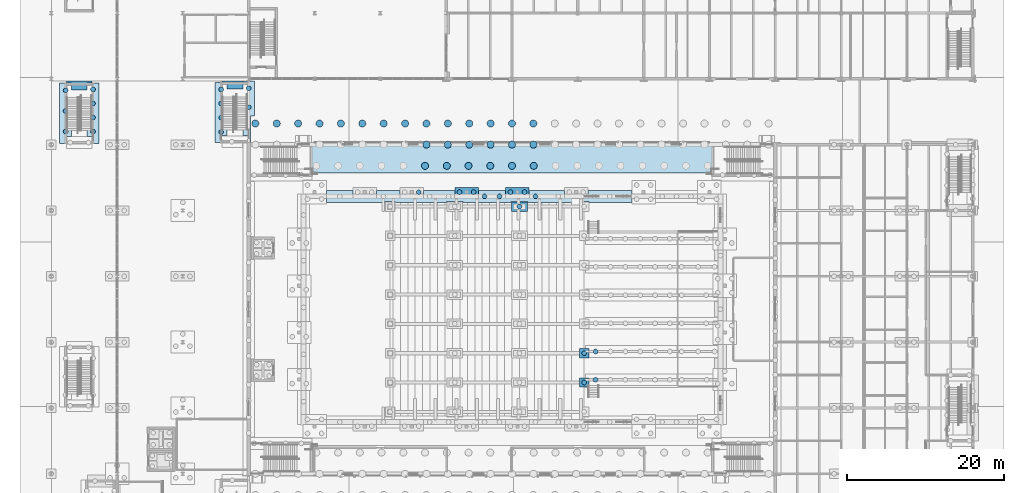
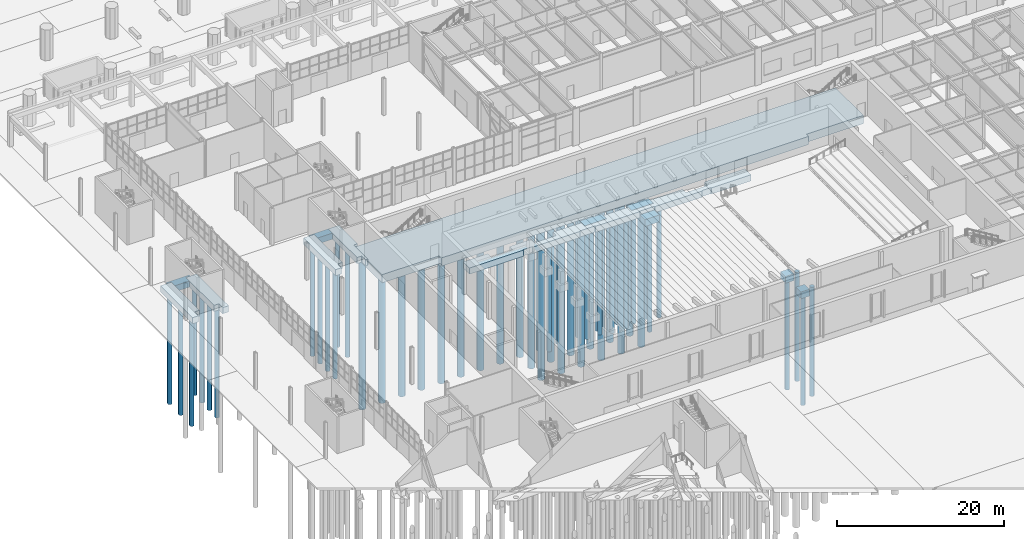
# One storey, part 12 of 127: 52 piles, 13 footings.
"""IFC4 building model written with IfcOpenShell, lengths in metres."""

from ifc_helpers import new_model, si_unit, direction, frame, origin, origin_2d, place, context, subcontext, project, spatial, polyline, circle, outline, extrude, material, layer, layer_set, material_profile, profile_set, type_object, element, save


model = new_model("IFC4")

# Units and contexts
model_context = context("Model", 3, precision=1e-05, world=origin(), true_north=direction((0.0, 1.0)))
body_context = subcontext(model_context, "Body", "Model", "MODEL_VIEW")
ifc_project = project(units=[si_unit("LENGTHUNIT", "METRE"), si_unit("AREAUNIT", "SQUARE_METRE"), si_unit("VOLUMEUNIT", "CUBIC_METRE"), si_unit("PLANEANGLEUNIT", "RADIAN"), si_unit("MASSUNIT", "GRAM", prefix="KILO")], contexts=[model_context])

# Site, building, storey
site_placement = place(None, origin())
site = spatial("IfcSite", under=ifc_project, at=site_placement, CompositionType="ELEMENT")
building_placement = place(site_placement, origin())
building = spatial("IfcBuilding", under=site, at=building_placement, Name="Ljudholm Concert House", CompositionType="ELEMENT")
storey_placement = place(building_placement, origin())
storey = spatial("IfcBuildingStorey", under=building, at=storey_placement, Name="L00", CompositionType="ELEMENT", Elevation=0.0)

# Piles
ifc_material_1 = material(Name="Concrete 5,000 psi", Category="concrete")
ifc_material_profile_1 = material_profile(ifc_material_1, circle(Radius=0.300048828125, at=origin_2d()), Name="AUGER-CAST PILE D600")
ifc_profile_set_1 = profile_set([ifc_material_profile_1], Name="Concrete 5,000 psi")
pile_type_1 = type_object("IfcPileType", Name="AUGER-CAST PILE D600", PredefinedType="BORED", material=ifc_profile_set_1)
for number, where, z_axis, x_axis, name in (
    (1, (50.89990234375, 90.35009765625, -1.300048828125), (0.0, 0.0, -1.0), (1.0, 0.0, 0.0), "Pile D600"),
    (2, (56.10009765625, 90.35009765625, -1.300048828125), (0.0, 0.0, -1.0), (1.0, 0.0, 0.0), "Pile D600"),
    (3, (57.89990234375, 90.35009765625, -1.300048828125), (0.0, 0.0, -1.0), (1.0, 0.0, 0.0), "Pile D600"),
    (4, (62.60009765625, 90.35009765625, -1.300048828125), (0.0, 0.0, -1.0), (1.0, 0.0, 0.0), "Pile D600"),
    (5, (64.39990234375, 90.35009765625, -1.300048828125), (0.0, 0.0, -1.0), (1.0, 0.0, 0.0), "Pile D600"),
    (6, (63.75, 88.5, -1.804931640625), (0.0, 0.0, -1.0), (1.0, 0.0, 0.0), "Pile D600"),
    (7, (72.0, 66.04296875, -1.804931640625), (0.0, 0.0, -1.0), (1.0, 0.0, 0.0), "Pile D600"),
    (8, (72.0, 69.78564453125, -1.804931640625), (0.0, 0.0, -1.0), (1.0, 0.0, 0.0), "Pile D600"),
    (9, (73.456787109375, 66.39990234375, -1.199951171875), (0.0, 0.0, -1.0), (1.0, 0.0, 0.0), "Pile D600"),
    (10, (73.484375, 70.0, -1.199951171875), (0.0, 0.0, -1.0), (1.0, 0.0, 0.0), "Pile D600"),
    (11, (59.295166015625, 89.800048828125, -1.199951171875), (0.0, 0.0, -1.0), (1.0, 0.0, 0.0), "Pile D600"),
    (12, (61.204833984375, 89.800048828125, -1.199951171875), (0.0, 0.0, -1.0), (1.0, 0.0, 0.0), "Pile D600"),
    (13, (65.795166015625, 89.800048828125, -1.199951171875), (0.0, 0.0, -1.0), (1.0, 0.0, 0.0), "Pile D600"),
    (14, (29.199951171875, 101.18310546875, -1.10009765625), (0.0, 0.0, -1.0), (1.0, 0.0, 0.0), "Pile D600"),
    (15, (29.199951171875, 103.60009765625, -1.10009765625), (0.0, 0.0, -1.0), (1.0, 0.0, 0.0), "Pile D600"),
    (16, (25.675048828125, 98.018310546875, -1.10009765625), (0.0, 0.0, -1.0), (1.0, 0.0, 0.0), "Pile D600"),
    (17, (25.675048828125, 99.83251953125, -1.10009765625), (0.0, 0.0, -1.0), (1.0, 0.0, 0.0), "Pile D600"),
    (18, (25.675048828125, 101.646728515625, -1.10009765625), (0.0, 0.0, -1.0), (1.0, 0.0, 0.0), "Pile D600"),
    (19, (25.675048828125, 103.4609375, -1.10009765625), (0.0, 0.0, -1.0), (1.0, 0.0, 0.0), "Pile D600"),
    (20, (9.324951171875, 98.060302734375, -1.10009765625), (0.0, 0.0, -1.0), (1.0, 0.0, 0.0), "Pile D600"),
    (21, (9.324951171875, 99.860595703125, -1.10009765625), (0.0, 0.0, -1.0), (1.0, 0.0, 0.0), "Pile D600"),
    (22, (9.324951171875, 101.660888671875, -1.10009765625), (0.0, 0.0, -1.0), (1.0, 0.0, 0.0), "Pile D600"),
    (23, (9.324951171875, 103.4609375, -1.10009765625), (0.0, 0.0, -1.0), (1.0, 0.0, 0.0), "Pile D600"),
    (24, (5.824951171875, 98.060302734375, -1.10009765625), (0.0, 0.0, -1.0), (1.0, 0.0, 0.0), "Pile D600"),
    (25, (5.824951171875, 100.700927734375, -1.10009765625), (0.0, 0.0, -1.0), (1.0, 0.0, 0.0), "Pile D600"),
    (26, (5.824951171875, 103.341796875, -1.10009765625), (0.0, 0.0, -1.0), (1.0, 0.0, 0.0), "Pile D600"),
):
    element("IfcPile", number, at=place(storey_placement, frame(where, z_axis=z_axis, x_axis=x_axis)), inside=storey, type_object=pile_type_1, Name=name, PredefinedType="BORED", context=body_context, shape_type="SweptSolid", body=[
        extrude(circle(Radius=0.300048828125, at=origin_2d()), origin(), (0.0, 0.0, 1.0), 16.0),
    ])
ifc_material_2 = material(Name="Concrete 5,000 psi", Category="concrete")
ifc_material_profile_2 = material_profile(ifc_material_2, circle(Radius=0.449951171875, at=origin_2d()), Name="AUGER-CAST PILE D900")
ifc_profile_set_2 = profile_set([ifc_material_profile_2], Name="Concrete 5,000 psi")
pile_type_2 = type_object("IfcPileType", Name="AUGER-CAST PILE D900", PredefinedType="BORED", material=ifc_profile_set_2)
for number, where, z_axis, x_axis, name in (
    (27, (51.70166015625, 93.699951171875, -1.699951171875), (0.0, 0.0, -1.0), (1.0, 0.0, 0.0), "Pile D900"),
    (28, (54.476318359375, 93.699951171875, -1.699951171875), (0.0, 0.0, -1.0), (1.0, 0.0, 0.0), "Pile D900"),
    (29, (57.2509765625, 93.699951171875, -1.699951171875), (0.0, 0.0, -1.0), (1.0, 0.0, 0.0), "Pile D900"),
    (30, (60.025390625, 93.699951171875, -1.699951171875), (0.0, 0.0, -1.0), (1.0, 0.0, 0.0), "Pile D900"),
    (31, (62.800048828125, 93.699951171875, -1.699951171875), (0.0, 0.0, -1.0), (1.0, 0.0, 0.0), "Pile D900"),
    (32, (65.574462890625, 93.699951171875, -1.699951171875), (0.0, 0.0, -1.0), (1.0, 0.0, 0.0), "Pile D900"),
    (33, (51.88330078125, 96.39990234375, -1.699951171875), (0.0, 0.0, -1.0), (1.0, 0.0, 0.0), "Pile D900"),
    (34, (54.612548828125, 96.39990234375, -1.699951171875), (0.0, 0.0, -1.0), (1.0, 0.0, 0.0), "Pile D900"),
    (35, (57.341552734375, 96.39990234375, -1.699951171875), (0.0, 0.0, -1.0), (1.0, 0.0, 0.0), "Pile D900"),
    (36, (60.07080078125, 96.39990234375, -1.699951171875), (0.0, 0.0, -1.0), (1.0, 0.0, 0.0), "Pile D900"),
    (37, (62.800048828125, 96.39990234375, -1.699951171875), (0.0, 0.0, -1.0), (1.0, 0.0, 0.0), "Pile D900"),
    (38, (65.529052734375, 96.39990234375, -1.699951171875), (0.0, 0.0, -1.0), (1.0, 0.0, 0.0), "Pile D900"),
    (39, (30.050048828125, 99.10009765625, -1.699951171875), (0.0, 0.0, -1.0), (1.0, 0.0, 0.0), "Pile D900"),
    (40, (32.779052734375, 99.10009765625, -1.699951171875), (0.0, 0.0, -1.0), (1.0, 0.0, 0.0), "Pile D900"),
    (41, (35.50830078125, 99.10009765625, -1.699951171875), (0.0, 0.0, -1.0), (1.0, 0.0, 0.0), "Pile D900"),
    (42, (38.237548828125, 99.10009765625, -1.699951171875), (0.0, 0.0, -1.0), (1.0, 0.0, 0.0), "Pile D900"),
    (43, (40.966552734375, 99.10009765625, -1.699951171875), (0.0, 0.0, -1.0), (1.0, 0.0, 0.0), "Pile D900"),
    (44, (43.69580078125, 99.10009765625, -1.699951171875), (0.0, 0.0, -1.0), (1.0, 0.0, 0.0), "Pile D900"),
    (45, (46.425048828125, 99.10009765625, -1.699951171875), (0.0, 0.0, -1.0), (1.0, 0.0, 0.0), "Pile D900"),
    (46, (49.154052734375, 99.10009765625, -1.699951171875), (0.0, 0.0, -1.0), (1.0, 0.0, 0.0), "Pile D900"),
    (47, (51.88330078125, 99.10009765625, -1.699951171875), (0.0, 0.0, -1.0), (1.0, 0.0, 0.0), "Pile D900"),
    (48, (54.612548828125, 99.10009765625, -1.699951171875), (0.0, 0.0, -1.0), (1.0, 0.0, 0.0), "Pile D900"),
    (49, (57.341552734375, 99.10009765625, -1.699951171875), (0.0, 0.0, -1.0), (1.0, 0.0, 0.0), "Pile D900"),
    (50, (60.07080078125, 99.10009765625, -1.699951171875), (0.0, 0.0, -1.0), (1.0, 0.0, 0.0), "Pile D900"),
    (51, (62.800048828125, 99.10009765625, -1.699951171875), (0.0, 0.0, -1.0), (1.0, 0.0, 0.0), "Pile D900"),
    (52, (65.529052734375, 99.10009765625, -1.699951171875), (0.0, 0.0, -1.0), (1.0, 0.0, 0.0), "Pile D900"),
):
    element("IfcPile", number, at=place(storey_placement, frame(where, z_axis=z_axis, x_axis=x_axis)), inside=storey, type_object=pile_type_2, Name=name, PredefinedType="BORED", context=body_context, shape_type="SweptSolid", body=[
        extrude(circle(Radius=0.449951171875, at=origin_2d()), origin(), (0.0, 0.0, 1.0), 22.0),
    ])

# Footings
ifc_material_3 = material(Name="Concrete 5,000 psi", Category="concrete")
ifc_layer_1 = layer(ifc_material_3, 1.0)
ifc_layer_set_1 = layer_set([ifc_layer_1], Name="Concrete 5,000 psi")
footing_type_1 = type_object("IfcFootingType", Name="RC PILE CAP 1200x1200x1000", PredefinedType="PILE_CAP", material=ifc_layer_set_1)
footing_1_placement = place(storey_placement, frame((0.0, 0.0, -1.804931640625)))
element("IfcFooting", 53, at=footing_1_placement, inside=storey, type_object=footing_type_1, Name="Pile cap", PredefinedType="PILE_CAP", context=body_context, shape_type="SweptSolid", body=[
    extrude(outline(polyline([(71.409912109375, 65.44287109375), (72.590087890625, 65.44287109375), (72.59375, 65.443603515625), (72.59716796875, 65.44580078125), (72.59912109375, 65.448974609375), (72.60009765625, 65.452880859375), (72.60009765625, 66.6328125), (72.59912109375, 66.63671875), (72.59716796875, 66.639892578125), (72.59375, 66.64208984375), (72.590087890625, 66.642822265625), (71.409912109375, 66.642822265625), (71.40625, 66.64208984375), (71.40283203125, 66.639892578125), (71.40087890625, 66.63671875), (71.39990234375, 66.6328125), (71.39990234375, 65.452880859375), (71.40087890625, 65.448974609375), (71.40283203125, 65.44580078125), (71.40625, 65.443603515625), (71.409912109375, 65.44287109375)])), origin(), (0.0, 0.0, 1.0), 1.0),
])
footing_2_placement = place(storey_placement, frame((0.0, 0.0, -1.804931640625)))
element("IfcFooting", 54, at=footing_2_placement, inside=storey, type_object=footing_type_1, Name="Pile cap", PredefinedType="PILE_CAP", context=body_context, shape_type="SweptSolid", body=[
    extrude(outline(polyline([(71.409912109375, 69.185791015625), (72.590087890625, 69.185791015625), (72.59375, 69.1865234375), (72.59716796875, 69.188720703125), (72.59912109375, 69.19189453125), (72.60009765625, 69.19580078125), (72.60009765625, 70.375732421875), (72.59912109375, 70.379638671875), (72.59716796875, 70.3828125), (72.59375, 70.385009765625), (72.590087890625, 70.3857421875), (71.409912109375, 70.3857421875), (71.40625, 70.385009765625), (71.40283203125, 70.3828125), (71.40087890625, 70.379638671875), (71.39990234375, 70.375732421875), (71.39990234375, 69.19580078125), (71.40087890625, 69.19189453125), (71.40283203125, 69.188720703125), (71.40625, 69.1865234375), (71.409912109375, 69.185791015625)])), origin(), (0.0, 0.0, 1.0), 1.0),
])
ifc_material_4 = material(Name="Concrete 5,000 psi", Category="concrete")
ifc_layer_2 = layer(ifc_material_4, 1.0)
ifc_layer_set_2 = layer_set([ifc_layer_2], Name="Concrete 5,000 psi")
footing_type_2 = type_object("IfcFootingType", Name="RC PILE CAP 2000x1200x1000", PredefinedType="PILE_CAP", material=ifc_layer_set_2)
footing_3_placement = place(storey_placement, frame((0.0, 0.0, -1.804931640625)))
element("IfcFooting", 55, at=footing_3_placement, inside=storey, type_object=footing_type_2, Name="Pile cap", PredefinedType="PILE_CAP", context=body_context, shape_type="SweptSolid", body=[
    extrude(outline(polyline([(62.760009765625, 87.89990234375), (64.739990234375, 87.89990234375), (64.74560546875, 87.901611328125), (64.748779296875, 87.9052734375), (64.75, 87.909912109375), (64.75, 89.090087890625), (64.748291015625, 89.095458984375), (64.74462890625, 89.098876953125), (64.739990234375, 89.10009765625), (62.760009765625, 89.10009765625), (62.75439453125, 89.098388671875), (62.751220703125, 89.0947265625), (62.75, 89.090087890625), (62.75, 87.909912109375), (62.750732421875, 87.90625), (62.7529296875, 87.90283203125), (62.756103515625, 87.90087890625), (62.760009765625, 87.89990234375)])), origin(), (0.0, 0.0, 1.0), 1.0),
])
ifc_material_5 = material(Name="Concrete 5,000 psi", Category="concrete")
ifc_layer_3 = layer(ifc_material_5, 1.0)
ifc_layer_set_3 = layer_set([ifc_layer_3], Name="Concrete 5,000 psi")
footing_type_3 = type_object("IfcFootingType", Name="RC PILE CAP 3000x1200x1000", PredefinedType="PILE_CAP", material=ifc_layer_set_3)
footing_4_placement = place(storey_placement, frame((0.0, 0.0, -1.300048828125)))
element("IfcFooting", 56, at=footing_4_placement, inside=storey, type_object=footing_type_3, Name="Pile cap", PredefinedType="PILE_CAP", context=body_context, shape_type="SweptSolid", body=[
    extrude(outline(polyline([(55.510009765625, 89.75), (58.489990234375, 89.75), (58.493896484375, 89.750732421875), (58.498291015625, 89.75439453125), (58.5, 89.760009765625), (58.5, 90.93994140625), (58.499267578125, 90.94384765625), (58.49560546875, 90.9482421875), (58.489990234375, 90.949951171875), (55.510009765625, 90.949951171875), (55.506103515625, 90.94921875), (55.501708984375, 90.945556640625), (55.5, 90.93994140625), (55.5, 89.760009765625), (55.500732421875, 89.756103515625), (55.5029296875, 89.7529296875), (55.506103515625, 89.750732421875), (55.510009765625, 89.75)])), origin(), (0.0, 0.0, 1.0), 1.0),
])
footing_5_placement = place(storey_placement, frame((0.0, 0.0, -1.300048828125)))
element("IfcFooting", 57, at=footing_5_placement, inside=storey, type_object=footing_type_3, Name="Pile cap", PredefinedType="PILE_CAP", context=body_context, shape_type="SweptSolid", body=[
    extrude(outline(polyline([(62.010009765625, 89.75), (64.989990234375, 89.75), (64.993896484375, 89.750732421875), (64.998291015625, 89.75439453125), (65.0, 89.760009765625), (65.0, 90.93994140625), (64.999267578125, 90.94384765625), (64.99560546875, 90.9482421875), (64.989990234375, 90.949951171875), (62.010009765625, 90.949951171875), (62.006103515625, 90.94921875), (62.001708984375, 90.945556640625), (62.0, 90.93994140625), (62.0, 89.760009765625), (62.000732421875, 89.756103515625), (62.0029296875, 89.7529296875), (62.006103515625, 89.750732421875), (62.010009765625, 89.75)])), origin(), (0.0, 0.0, 1.0), 1.0),
])
ifc_material_6 = material(Name="Concrete 5,000 psi", Category="concrete")
ifc_layer_4 = layer(ifc_material_6, 0.89990234375)
ifc_layer_set_4 = layer_set([ifc_layer_4], Name="Concrete 5,000 psi")
footing_type_4 = type_object("IfcFootingType", Name="RC STRIP FOOTING 1050x900", PredefinedType="STRIP_FOOTING", material=ifc_layer_set_4)
footing_6_placement = place(storey_placement, frame((0.0, 0.0, -1.10009765625)))
element("IfcFooting", 58, at=footing_6_placement, inside=storey, type_object=footing_type_4, Name="Strip footing", PredefinedType="STRIP_FOOTING", context=body_context, shape_type="SweptSolid", body=[
    extrude(outline(polyline([(25.800048828125, 104.489990234375), (25.800048828125, 104.359130859375), (25.80126953125, 104.355224609375), (25.802978515625, 104.35302734375), (25.80810546875, 104.35009765625), (26.414794921875, 104.35009765625), (26.419677734375, 104.348876953125), (26.42333984375, 104.345458984375), (26.425048828125, 104.33984375), (26.425048828125, 103.485107421875), (26.4267578125, 103.4794921875), (26.43115234375, 103.475830078125), (26.43505859375, 103.47509765625), (28.43994140625, 103.47509765625), (28.445556640625, 103.476806640625), (28.44921875, 103.481201171875), (28.449951171875, 103.485107421875), (28.449951171875, 104.489990234375), (28.4482421875, 104.49560546875), (28.44384765625, 104.499267578125), (28.43994140625, 104.5), (25.81005859375, 104.5), (25.80615234375, 104.499267578125), (25.802978515625, 104.4970703125), (25.80078125, 104.493896484375), (25.800048828125, 104.489990234375)])), origin(), (0.0, 0.0, 1.0), 0.900146484375),
])
ifc_material_7 = material(Name="Concrete 5,000 psi", Category="concrete")
ifc_layer_5 = layer(ifc_material_7, 0.89990234375)
ifc_layer_set_5 = layer_set([ifc_layer_5], Name="Concrete 5,000 psi")
footing_type_5 = type_object("IfcFootingType", Name="RC STRIP FOOTING 1150x900", PredefinedType="STRIP_FOOTING", material=ifc_layer_set_5)
footing_7_placement = place(storey_placement, frame((0.0, 0.0, -1.10009765625)))
element("IfcFooting", 59, at=footing_7_placement, inside=storey, type_object=footing_type_5, Name="Strip footing", PredefinedType="STRIP_FOOTING", context=body_context, shape_type="SweptSolid", body=[
    extrude(outline(polyline([(5.9599609375, 104.25), (6.564697265625, 104.25), (6.56982421875, 104.248779296875), (6.5732421875, 104.24560546875), (6.574951171875, 104.23974609375), (6.574951171875, 103.385009765625), (6.57666015625, 103.37939453125), (6.579345703125, 103.376708984375), (6.58203125, 103.37548828125), (8.56591796875, 103.375), (8.56884765625, 103.375732421875), (8.572021484375, 103.3779296875), (8.57421875, 103.381103515625), (8.574951171875, 103.385009765625), (8.574951171875, 104.23974609375), (8.576171875, 104.24462890625), (8.580322265625, 104.248779296875), (8.585205078125, 104.25), (9.18994140625, 104.25), (9.19384765625, 104.250732421875), (9.1982421875, 104.25439453125), (9.199951171875, 104.260009765625), (9.199951171875, 104.490966796875), (9.19873046875, 104.49462890625), (9.197021484375, 104.4970703125), (9.19384765625, 104.499267578125), (9.18994140625, 104.5), (5.958984375, 104.5), (5.9560546875, 104.499267578125), (5.952880859375, 104.4970703125), (5.95068359375, 104.493896484375), (5.949951171875, 104.489990234375), (5.949951171875, 104.260009765625), (5.95068359375, 104.256103515625), (5.952880859375, 104.2529296875), (5.9560546875, 104.250732421875), (5.9599609375, 104.25)])), origin(), (0.0, 0.0, 1.0), 0.900146484375),
])
ifc_material_8 = material(Name="Concrete 5,000 psi", Category="concrete")
ifc_layer_6 = layer(ifc_material_8, 0.89990234375)
ifc_layer_set_6 = layer_set([ifc_layer_6], Name="Concrete 5,000 psi")
footing_type_6 = type_object("IfcFootingType", Name="RC STRIP FOOTING 1500x900", PredefinedType="STRIP_FOOTING", material=ifc_layer_set_6)
footing_8_placement = place(storey_placement, frame((0.0, 0.0, -1.199951171875)))
element("IfcFooting", 60, at=footing_8_placement, inside=storey, type_object=footing_type_6, Name="Strip footing", PredefinedType="STRIP_FOOTING", context=body_context, shape_type="SweptSolid", body=[
    extrude(outline(polyline([(39.10009765625, 90.5400390625), (39.10009765625, 89.06005859375), (39.100830078125, 89.05615234375), (39.10302734375, 89.052978515625), (39.106201171875, 89.05078125), (39.110107421875, 89.050048828125), (46.590087890625, 89.050048828125), (46.59375, 89.05078125), (46.59716796875, 89.052978515625), (46.598876953125, 89.05517578125), (46.599853515625, 89.05908203125), (46.60009765625, 89.141845703125), (46.601806640625, 89.1455078125), (46.603759765625, 89.147705078125), (46.607177734375, 89.149658203125), (46.6103515625, 89.14990234375), (47.890869140625, 89.14990234375), (47.893798828125, 89.149169921875), (47.89697265625, 89.14697265625), (47.89892578125, 89.144775390625), (47.89990234375, 89.140869140625), (47.900146484375, 89.05810546875), (47.901611328125, 89.054443359375), (47.903564453125, 89.05224609375), (47.90625, 89.05078125), (47.909912109375, 89.050048828125), (54.43994140625, 89.050048828125), (54.44384765625, 89.05078125), (54.447021484375, 89.052978515625), (54.44873046875, 89.05517578125), (54.449951171875, 89.05908203125), (54.4501953125, 89.141845703125), (54.45166015625, 89.1455078125), (54.45361328125, 89.147705078125), (54.45703125, 89.149658203125), (54.460205078125, 89.14990234375), (56.539794921875, 89.14990234375), (56.54296875, 89.149658203125), (56.54638671875, 89.147705078125), (56.54833984375, 89.1455078125), (56.5498046875, 89.141845703125), (56.550048828125, 89.05908203125), (56.55126953125, 89.05517578125), (56.552978515625, 89.052978515625), (56.55615234375, 89.05078125), (56.56005859375, 89.050048828125), (62.68994140625, 89.050048828125), (62.69384765625, 89.05078125), (62.697021484375, 89.052978515625), (62.69873046875, 89.05517578125), (62.699951171875, 89.05908203125), (62.7001953125, 89.141845703125), (62.70166015625, 89.1455078125), (62.70361328125, 89.147705078125), (62.70703125, 89.149658203125), (62.710205078125, 89.14990234375), (64.789794921875, 89.14990234375), (64.79296875, 89.149658203125), (64.79638671875, 89.147705078125), (64.79833984375, 89.1455078125), (64.7998046875, 89.141845703125), (64.800048828125, 89.05908203125), (64.80126953125, 89.05517578125), (64.802978515625, 89.052978515625), (64.80615234375, 89.05078125), (64.81005859375, 89.050048828125), (71.340087890625, 89.050048828125), (71.34375, 89.05078125), (71.34716796875, 89.052978515625), (71.348876953125, 89.05517578125), (71.349853515625, 89.05908203125), (71.35009765625, 89.141845703125), (71.351806640625, 89.1455078125), (71.353759765625, 89.147705078125), (71.357177734375, 89.149658203125), (71.3603515625, 89.14990234375), (72.640869140625, 89.14990234375), (72.643798828125, 89.149169921875), (72.64697265625, 89.14697265625), (72.649169921875, 89.143798828125), (72.64990234375, 89.140869140625), (72.650146484375, 89.05810546875), (72.651123046875, 89.05517578125), (72.653564453125, 89.05224609375), (72.65625, 89.05078125), (72.659912109375, 89.050048828125), (78.090087890625, 89.050048828125), (78.09375, 89.05078125), (78.09716796875, 89.052978515625), (78.09912109375, 89.05615234375), (78.10009765625, 89.06005859375), (78.10009765625, 90.5400390625), (78.09912109375, 90.5439453125), (78.09716796875, 90.547119140625), (78.09375, 90.54931640625), (78.090087890625, 90.550048828125), (72.509033203125, 90.550048828125), (72.50537109375, 90.548828125), (72.5029296875, 90.547119140625), (72.500732421875, 90.5439453125), (72.5, 90.5400390625), (72.5, 89.76025390625), (72.499267578125, 89.756103515625), (72.4970703125, 89.7529296875), (72.493896484375, 89.750732421875), (72.48974609375, 89.75), (69.507080078125, 89.75048828125), (69.50439453125, 89.751708984375), (69.501708984375, 89.75439453125), (69.5, 89.76025390625), (69.5, 90.5400390625), (69.499267578125, 90.5439453125), (69.4970703125, 90.547119140625), (69.493896484375, 90.54931640625), (69.489990234375, 90.550048828125), (65.008056640625, 90.5498046875), (65.00537109375, 90.548828125), (65.002197265625, 90.54638671875), (65.000732421875, 90.5439453125), (65.0, 90.5400390625), (65.0, 89.76025390625), (64.999267578125, 89.756103515625), (64.9970703125, 89.7529296875), (64.993896484375, 89.750732421875), (64.98974609375, 89.75), (62.007080078125, 89.75048828125), (62.00439453125, 89.751708984375), (62.001708984375, 89.75439453125), (62.0, 89.76025390625), (62.0, 90.5400390625), (61.999267578125, 90.5439453125), (61.9970703125, 90.547119140625), (61.993896484375, 90.54931640625), (61.989990234375, 90.550048828125), (58.508056640625, 90.5498046875), (58.50537109375, 90.548828125), (58.502197265625, 90.54638671875), (58.50048828125, 90.54296875), (58.5, 90.5400390625), (58.5, 89.76025390625), (58.499267578125, 89.756103515625), (58.4970703125, 89.7529296875), (58.493896484375, 89.750732421875), (58.48974609375, 89.75), (55.507080078125, 89.75048828125), (55.50439453125, 89.751708984375), (55.501708984375, 89.75439453125), (55.5, 89.76025390625), (55.5, 90.5400390625), (55.499267578125, 90.5439453125), (55.4970703125, 90.547119140625), (55.493896484375, 90.54931640625), (55.489990234375, 90.550048828125), (51.508056640625, 90.5498046875), (51.50537109375, 90.548828125), (51.502197265625, 90.54638671875), (51.50048828125, 90.54296875), (51.5, 90.5400390625), (51.5, 89.76025390625), (51.499267578125, 89.756103515625), (51.4970703125, 89.7529296875), (51.493896484375, 89.750732421875), (51.48974609375, 89.75), (48.507080078125, 89.75048828125), (48.50439453125, 89.751708984375), (48.501708984375, 89.75439453125), (48.5, 89.76025390625), (48.5, 90.5400390625), (48.499267578125, 90.5439453125), (48.4970703125, 90.547119140625), (48.493896484375, 90.54931640625), (48.490966796875, 90.550048828125), (45.507080078125, 90.549560546875), (45.50439453125, 90.54833984375), (45.501708984375, 90.545654296875), (45.5, 90.5400390625), (45.5, 89.76025390625), (45.499267578125, 89.756103515625), (45.4970703125, 89.7529296875), (45.493896484375, 89.750732421875), (45.48974609375, 89.75), (42.507080078125, 89.75048828125), (42.50439453125, 89.751708984375), (42.501708984375, 89.75439453125), (42.5, 89.76025390625), (42.5, 90.5400390625), (42.499267578125, 90.5439453125), (42.4970703125, 90.547119140625), (42.493896484375, 90.54931640625), (42.490966796875, 90.550048828125), (39.110107421875, 90.550048828125), (39.106201171875, 90.54931640625), (39.10302734375, 90.547119140625), (39.100830078125, 90.5439453125), (39.10009765625, 90.5400390625)])), origin(), (0.0, 0.0, 1.0), 0.89990234375),
])
footing_9_placement = place(storey_placement, frame((0.0, 0.0, -1.10009765625)))
element("IfcFooting", 61, at=footing_9_placement, inside=storey, type_object=footing_type_6, Name="Strip footing", PredefinedType="STRIP_FOOTING", context=body_context, shape_type="SweptSolid", body=[
    extrude(outline(polyline([(28.449951171875, 104.489990234375), (28.449951171875, 97.583984375), (28.451171875, 97.580322265625), (28.452880859375, 97.577880859375), (28.4560546875, 97.57568359375), (28.4599609375, 97.574951171875), (29.08984375, 97.574951171875), (29.09375, 97.57421875), (29.09716796875, 97.572021484375), (29.09912109375, 97.56884765625), (29.10009765625, 97.564697265625), (29.100341796875, 96.656982421875), (29.101806640625, 96.654541015625), (29.1044921875, 96.651611328125), (29.110107421875, 96.64990234375), (29.390869140625, 96.650146484375), (29.393798828125, 96.65087890625), (29.39697265625, 96.65283203125), (29.399169921875, 96.65625), (29.39990234375, 96.659912109375), (29.400146484375, 99.99609375), (29.40380859375, 100.01318359375), (29.4169921875, 100.032958984375), (29.436767578125, 100.046142578125), (29.455078125, 100.050048828125), (29.93994140625, 100.050048828125), (29.94287109375, 100.050537109375), (29.9462890625, 100.05224609375), (29.94873046875, 100.05517578125), (29.949951171875, 100.05908203125), (29.949951171875, 104.490966796875), (29.94873046875, 104.49462890625), (29.947021484375, 104.4970703125), (29.94384765625, 104.499267578125), (29.93994140625, 104.5), (28.4599609375, 104.5), (28.4560546875, 104.499267578125), (28.452880859375, 104.4970703125), (28.45068359375, 104.493896484375), (28.449951171875, 104.489990234375)])), origin(), (0.0, 0.0, 1.0), 0.900146484375),
])
footing_10_placement = place(storey_placement, frame((0.0, 0.0, -1.10009765625)))
element("IfcFooting", 62, at=footing_10_placement, inside=storey, type_object=footing_type_6, Name="Strip footing", PredefinedType="STRIP_FOOTING", context=body_context, shape_type="SweptSolid", body=[
    extrude(outline(polyline([(24.93505859375, 96.64990234375), (25.739990234375, 96.64990234375), (25.74560546875, 96.651611328125), (25.748779296875, 96.6552734375), (25.75, 96.659912109375), (25.75, 97.564697265625), (25.751708984375, 97.570556640625), (25.75537109375, 97.57373046875), (25.76025390625, 97.574951171875), (26.4150390625, 97.574951171875), (26.4189453125, 97.57568359375), (26.42138671875, 97.5771484375), (26.42333984375, 97.579345703125), (26.4248046875, 97.5830078125), (26.425048828125, 104.340087890625), (26.42431640625, 104.34375), (26.4228515625, 104.346435546875), (26.419677734375, 104.348876953125), (26.4169921875, 104.349853515625), (24.93505859375, 104.35009765625), (24.93115234375, 104.34912109375), (24.9287109375, 104.34765625), (24.9267578125, 104.345458984375), (24.92529296875, 104.342041015625), (24.925048828125, 96.659912109375), (24.92578125, 96.65625), (24.927978515625, 96.65283203125), (24.93115234375, 96.65087890625), (24.93505859375, 96.64990234375)])), origin(), (0.0, 0.0, 1.0), 0.900146484375),
])
footing_11_placement = place(storey_placement, frame((0.0, 0.0, -1.10009765625)))
element("IfcFooting", 63, at=footing_11_placement, inside=storey, type_object=footing_type_6, Name="Strip footing", PredefinedType="STRIP_FOOTING", context=body_context, shape_type="SweptSolid", body=[
    extrude(outline(polyline([(8.574951171875, 104.239990234375), (8.5751953125, 97.483154296875), (8.57666015625, 97.4794921875), (8.57861328125, 97.477294921875), (8.5810546875, 97.475830078125), (8.5849609375, 97.47509765625), (9.23974609375, 97.47509765625), (9.24462890625, 97.473876953125), (9.248291015625, 97.470458984375), (9.25, 97.46484375), (9.25, 96.56005859375), (9.251220703125, 96.55517578125), (9.25439453125, 96.5517578125), (9.260009765625, 96.550048828125), (10.06689453125, 96.55029296875), (10.06982421875, 96.55126953125), (10.07275390625, 96.5537109375), (10.074462890625, 96.55712890625), (10.074951171875, 96.56005859375), (10.07470703125, 104.241943359375), (10.0732421875, 104.24560546875), (10.0712890625, 104.247802734375), (10.06884765625, 104.249267578125), (10.06494140625, 104.25), (8.5849609375, 104.25), (8.5810546875, 104.249267578125), (8.577880859375, 104.2470703125), (8.57568359375, 104.243896484375), (8.574951171875, 104.239990234375)])), origin(), (0.0, 0.0, 1.0), 0.900146484375),
])
footing_12_placement = place(storey_placement, frame((0.0, 0.0, -1.10009765625)))
element("IfcFooting", 64, at=footing_12_placement, inside=storey, type_object=footing_type_6, Name="Strip footing", PredefinedType="STRIP_FOOTING", context=body_context, shape_type="SweptSolid", body=[
    extrude(outline(polyline([(5.074951171875, 104.239990234375), (5.074951171875, 96.55908203125), (5.076171875, 96.55517578125), (5.077880859375, 96.552978515625), (5.0810546875, 96.55078125), (5.0849609375, 96.550048828125), (5.890869140625, 96.550048828125), (5.893798828125, 96.55078125), (5.89697265625, 96.552978515625), (5.899169921875, 96.55615234375), (5.89990234375, 96.56005859375), (5.89990234375, 97.46484375), (5.901611328125, 97.470458984375), (5.9052734375, 97.473876953125), (5.91015625, 97.47509765625), (6.56494140625, 97.47509765625), (6.56884765625, 97.475830078125), (6.572021484375, 97.47802734375), (6.57373046875, 97.480224609375), (6.574951171875, 97.484130859375), (6.574951171875, 104.240966796875), (6.57373046875, 104.24462890625), (6.572021484375, 104.2470703125), (6.56884765625, 104.249267578125), (6.56494140625, 104.25), (5.0849609375, 104.25), (5.0810546875, 104.249267578125), (5.077880859375, 104.2470703125), (5.07568359375, 104.243896484375), (5.074951171875, 104.239990234375)])), origin(), (0.0, 0.0, 1.0), 0.900146484375),
])
ifc_material_9 = material(Name="Concrete 5,000 psi", Category="concrete")
ifc_layer_7 = layer(ifc_material_9, 1.199951171875)
ifc_layer_set_7 = layer_set([ifc_layer_7], Name="Concrete 5,000 psi")
footing_type_7 = type_object("IfcFootingType", Name="RC STRIP FOOTING 7200x1200", PredefinedType="STRIP_FOOTING", material=ifc_layer_set_7)
footing_13_placement = place(storey_placement, frame((0.0, 0.0, -1.699951171875)))
element("IfcFooting", 65, at=footing_13_placement, inside=storey, type_object=footing_type_7, Name="Strip footing", PredefinedType="STRIP_FOOTING", context=body_context, shape_type="SweptSolid", body=[
    extrude(outline(polyline([(29.449951171875, 99.989990234375), (29.449951171875, 93.3349609375), (29.45068359375, 93.3310546875), (29.452880859375, 93.327880859375), (29.4560546875, 93.32568359375), (29.458984375, 93.324951171875), (37.341064453125, 93.324951171875), (37.3447265625, 93.32373046875), (37.34765625, 93.3212890625), (37.349609375, 93.31787109375), (37.35009765625, 93.314697265625), (37.35009765625, 92.81005859375), (37.350830078125, 92.80615234375), (37.35302734375, 92.802978515625), (37.356201171875, 92.80078125), (37.360107421875, 92.800048828125), (88.239990234375, 92.800048828125), (88.243896484375, 92.80078125), (88.2470703125, 92.802978515625), (88.249267578125, 92.80615234375), (88.25, 92.81005859375), (88.25, 93.314697265625), (88.25048828125, 93.31787109375), (88.252197265625, 93.3212890625), (88.25537109375, 93.32373046875), (88.259033203125, 93.324951171875), (96.139892578125, 93.324951171875), (96.143798828125, 93.32568359375), (96.14697265625, 93.327880859375), (96.14892578125, 93.330322265625), (96.14990234375, 93.333984375), (96.14990234375, 99.989990234375), (96.149169921875, 99.993896484375), (96.14697265625, 99.9970703125), (96.144775390625, 99.998779296875), (96.140869140625, 100.0), (29.4599609375, 100.0), (29.4560546875, 99.999267578125), (29.452880859375, 99.9970703125), (29.45068359375, 99.993896484375), (29.449951171875, 99.989990234375)])), origin(), (0.0, 0.0, 1.0), 1.199951171875),
])

save(model, "model.ifc")
